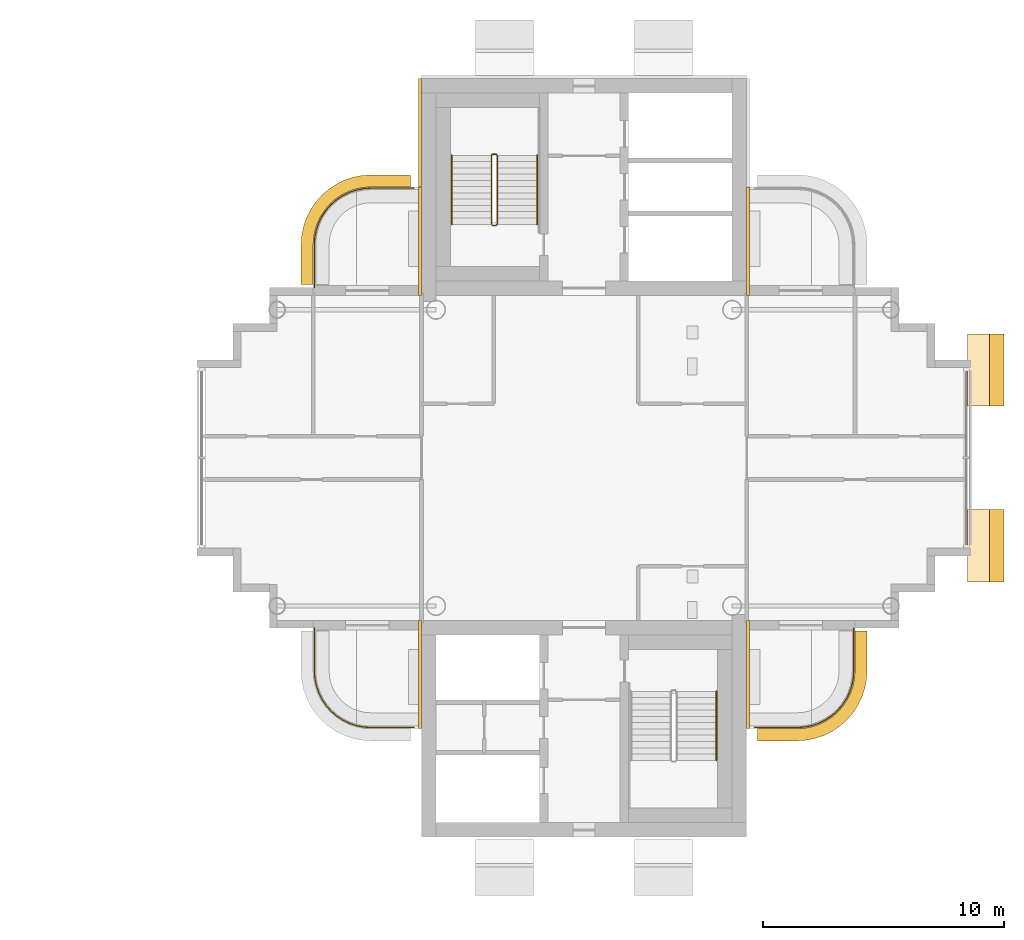
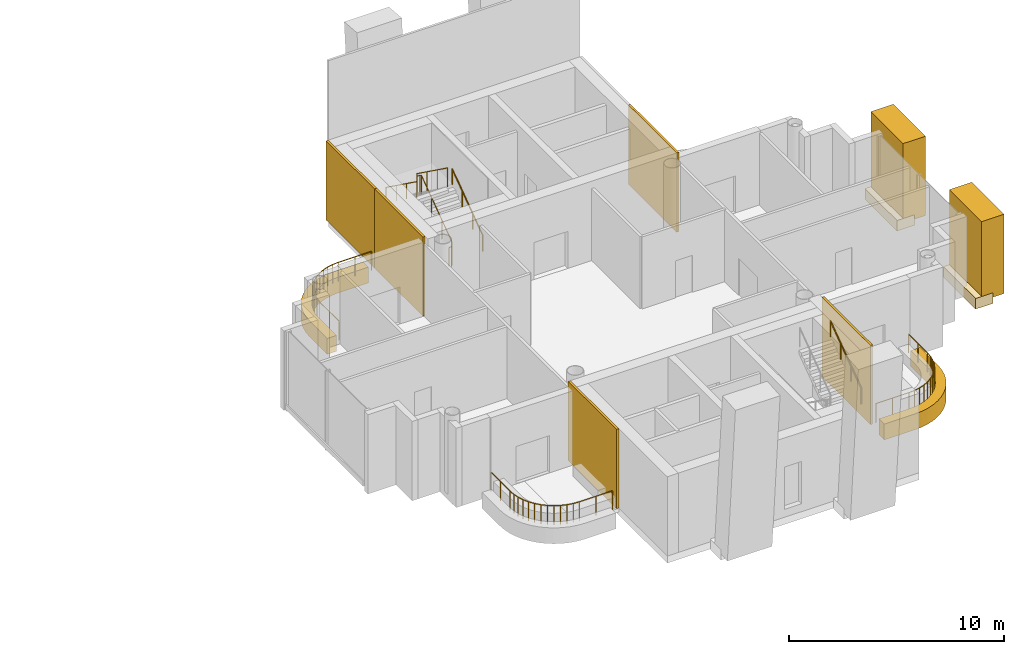
# One storey, part 18 of 20: 11 coverings, 7 railings.
"""IFC4 building model written with IfcOpenShell, lengths in metres."""

from ifc_helpers import new_model, si_unit, direction, frame, origin, origin_2d, place, context, subcontext, project, spatial, polyline, rectangle, circle, outline, extrude, material, layer, layer_set, material_profile, profile_set, type_object, element, save


model = new_model("IFC4")

# Units and contexts
model_context = context("Model", 3, precision=1e-05, world=origin(), true_north=direction((0.0, 1.0)))
body_context = subcontext(model_context, "Body", "Model", "MODEL_VIEW")
ifc_project = project(units=[si_unit("LENGTHUNIT", "METRE"), si_unit("AREAUNIT", "SQUARE_METRE"), si_unit("VOLUMEUNIT", "CUBIC_METRE"), si_unit("PLANEANGLEUNIT", "RADIAN"), si_unit("MASSUNIT", "GRAM", prefix="KILO")], contexts=[model_context])

# Site, building, storey
site_placement = place(None, origin())
site = spatial("IfcSite", under=ifc_project, at=site_placement, CompositionType="ELEMENT")
building_placement = place(site_placement, origin())
building = spatial("IfcBuilding", under=site, at=building_placement, Name="Ipe Terrace Towers", CompositionType="ELEMENT")
storey_placement = place(building_placement, frame((0.0, 0.0, 242.39990234375)))
storey = spatial("IfcBuildingStorey", under=building, at=storey_placement, Name="L67", CompositionType="ELEMENT", Elevation=242.39990234375)

# Railings
ifc_material_1 = material(Name="Stainless steel S316", Category="steel")
railing_type_1 = type_object("IfcRailingType", Name="GUARD 1100", PredefinedType="BALUSTRADE", material=ifc_material_1)
railing_1_placement = place(storey_placement, frame((24.800048828125, -7.070068359375, -0.02001953125)))
element("IfcRailing", 1, at=railing_1_placement, inside=storey, type_object=railing_type_1, Name="guard", PredefinedType="BALUSTRADE", context=body_context, shape_type="SweptSolid", body=[
    extrude(circle(Radius=0.02392578125, at=origin_2d()), frame((0.0, 0.0, 1.076171875), z_axis=(0.0, -1.0, 0.0), x_axis=(1.0, 0.0, 0.0)), (0.0, 0.0, 1.0), 1.77783203125),
    extrude(circle(Radius=0.02392578125, at=origin_2d()), frame((0.0, -1.77783203125, 1.076171875), z_axis=(0.064635492184, -0.99790894031, 0.0), x_axis=(0.99790894031, 0.064635492184, 0.0)), (0.0, 0.0, 1.0), 0.309814453125),
    extrude(circle(Radius=0.02392578125, at=origin_2d()), frame((0.02001953125, -2.0869140625, 1.076171875), z_axis=(0.194892169718, -0.980824674538, 0.0), x_axis=(0.980824674538, 0.194892169718, 0.0)), (0.0, 0.0, 1.0), 0.306884765625),
    extrude(circle(Radius=0.02392578125, at=origin_2d()), frame((0.079833984375, -2.387939453125, 1.076171875), z_axis=(0.322415209212, -0.946598348228, 0.0), x_axis=(0.946598348228, 0.322415209212, 0.0)), (0.0, 0.0, 1.0), 0.307373046875),
    extrude(circle(Radius=0.02392578125, at=origin_2d()), frame((0.178955078125, -2.678955078125, 1.076171875), z_axis=(0.44212629539, -0.896952807524, 0.0), x_axis=(0.896952807524, 0.44212629539, 0.0)), (0.0, 0.0, 1.0), 0.3076171875),
    extrude(circle(Radius=0.02392578125, at=origin_2d()), frame((0.31494140625, -2.954833984375, 1.076171875), z_axis=(0.555066120228, -0.831806228742, 0.0), x_axis=(0.831806228742, 0.555066120228, 0.0)), (0.0, 0.0, 1.0), 0.307861328125),
    extrude(circle(Radius=0.02392578125, at=origin_2d()), frame((0.48583984375, -3.2109375, 1.076171875), z_axis=(0.658617227954, -0.752478137252, 0.0), x_axis=(0.752478137252, 0.658617227954, 0.0)), (0.0, 0.0, 1.0), 0.306884765625),
    extrude(circle(Radius=0.02392578125, at=origin_2d()), frame((0.68798828125, -3.44189453125, 1.076171875), z_axis=(0.752478137252, -0.658617227954, 0.0), x_axis=(0.658617227954, 0.752478137252, 0.0)), (0.0, 0.0, 1.0), 0.306884765625),
    extrude(circle(Radius=0.02392578125, at=origin_2d()), frame((0.9189453125, -3.64404296875, 1.076171875), z_axis=(0.831806228742, -0.555066120228, 0.0), x_axis=(0.555066120228, 0.831806228742, 0.0)), (0.0, 0.0, 1.0), 0.307861328125),
    extrude(circle(Radius=0.02392578125, at=origin_2d()), frame((1.175048828125, -3.81494140625, 1.076171875), z_axis=(0.896952807524, -0.44212629539, 0.0), x_axis=(0.44212629539, 0.896952807524, 0.0)), (0.0, 0.0, 1.0), 0.3076171875),
    extrude(circle(Radius=0.02392578125, at=origin_2d()), frame((1.450927734375, -3.950927734375, 1.076171875), z_axis=(0.946598348228, -0.322415209212, 0.0), x_axis=(0.322415209212, 0.946598348228, 0.0)), (0.0, 0.0, 1.0), 0.307373046875),
    extrude(circle(Radius=0.02392578125, at=origin_2d()), frame((1.741943359375, -4.050048828125, 1.076171875), z_axis=(0.980824674538, -0.194892169718, 0.0), x_axis=(0.194892169718, 0.980824674538, 0.0)), (0.0, 0.0, 1.0), 0.306884765625),
    extrude(circle(Radius=0.02392578125, at=origin_2d()), frame((2.04296875, -4.10986328125, 1.076171875), z_axis=(0.99790894031, -0.064635492184, 0.0), x_axis=(0.064635492184, 0.99790894031, 0.0)), (0.0, 0.0, 1.0), 0.309814453125),
    extrude(circle(Radius=0.02392578125, at=origin_2d()), frame((2.35205078125, -4.1298828125, 1.076171875), z_axis=(1.0, 0.0, 0.0), x_axis=(0.0, 1.0, 0.0)), (0.0, 0.0, 1.0), 1.77783203125),
    extrude(circle(Radius=0.02099609375, at=origin_2d()), origin(), (0.0, 0.0, 1.0), 1.052001953125),
    extrude(circle(Radius=0.02099609375, at=origin_2d()), frame((0.0, -0.888916015625, 0.0)), (0.0, 0.0, 1.0), 1.052001953125),
    extrude(circle(Radius=0.02099609375, at=origin_2d()), frame((0.0, -1.77783203125, 0.0)), (0.0, 0.0, 1.0), 1.052001953125),
    extrude(circle(Radius=0.02099609375, at=origin_2d()), frame((0.02001953125, -2.0869140625, 0.0)), (0.0, 0.0, 1.0), 1.052001953125),
    extrude(circle(Radius=0.02099609375, at=origin_2d()), frame((0.079833984375, -2.387939453125, 0.0)), (0.0, 0.0, 1.0), 1.052001953125),
    extrude(circle(Radius=0.02099609375, at=origin_2d()), frame((0.178955078125, -2.678955078125, 0.0)), (0.0, 0.0, 1.0), 1.052001953125),
    extrude(circle(Radius=0.02099609375, at=origin_2d()), frame((0.31494140625, -2.954833984375, 0.0)), (0.0, 0.0, 1.0), 1.052001953125),
    extrude(circle(Radius=0.02099609375, at=origin_2d()), frame((0.48583984375, -3.2109375, 0.0)), (0.0, 0.0, 1.0), 1.052001953125),
    extrude(circle(Radius=0.02099609375, at=origin_2d()), frame((0.68798828125, -3.44189453125, 0.0)), (0.0, 0.0, 1.0), 1.052001953125),
    extrude(circle(Radius=0.02099609375, at=origin_2d()), frame((0.9189453125, -3.64404296875, 0.0)), (0.0, 0.0, 1.0), 1.052001953125),
    extrude(circle(Radius=0.02099609375, at=origin_2d()), frame((1.175048828125, -3.81494140625, 0.0)), (0.0, 0.0, 1.0), 1.052001953125),
    extrude(circle(Radius=0.02099609375, at=origin_2d()), frame((1.450927734375, -3.950927734375, 0.0)), (0.0, 0.0, 1.0), 1.052001953125),
    extrude(circle(Radius=0.02099609375, at=origin_2d()), frame((1.741943359375, -4.050048828125, 0.0)), (0.0, 0.0, 1.0), 1.052001953125),
    extrude(circle(Radius=0.02099609375, at=origin_2d()), frame((2.04296875, -4.10986328125, 0.0)), (0.0, 0.0, 1.0), 1.052001953125),
    extrude(circle(Radius=0.02099609375, at=origin_2d()), frame((2.35205078125, -4.1298828125, 0.0)), (0.0, 0.0, 1.0), 1.052001953125),
    extrude(circle(Radius=0.02099609375, at=origin_2d()), frame((3.240966796875, -4.1298828125, 0.0)), (0.0, 0.0, 1.0), 1.052001953125),
    extrude(circle(Radius=0.02099609375, at=origin_2d()), frame((4.1298828125, -4.1298828125, 0.0)), (0.0, 0.0, 1.0), 1.052001953125),
])
railing_2_placement = place(storey_placement, frame((28.929931640625, 11.199951171875, -0.02001953125)))
element("IfcRailing", 2, at=railing_2_placement, inside=storey, type_object=railing_type_1, Name="guard", PredefinedType="BALUSTRADE", context=body_context, shape_type="SweptSolid", body=[
    extrude(circle(Radius=0.02392578125, at=origin_2d()), frame((0.0, 0.0, 1.076171875), z_axis=(-1.0, 0.0, 0.0), x_axis=(0.0, -1.0, 0.0)), (0.0, 0.0, 1.0), 1.77783203125),
    extrude(circle(Radius=0.02392578125, at=origin_2d()), frame((-1.77783203125, 0.0, 1.076171875), z_axis=(-0.99790894031, -0.064635492184, 0.0), x_axis=(0.064635492184, -0.99790894031, 0.0)), (0.0, 0.0, 1.0), 0.309814453125),
    extrude(circle(Radius=0.02392578125, at=origin_2d()), frame((-2.0869140625, -0.02001953125, 1.076171875), z_axis=(-0.980824674538, -0.194892169718, 0.0), x_axis=(0.194892169718, -0.980824674538, 0.0)), (0.0, 0.0, 1.0), 0.306884765625),
    extrude(circle(Radius=0.02392578125, at=origin_2d()), frame((-2.387939453125, -0.079833984375, 1.076171875), z_axis=(-0.946598348228, -0.322415209212, 0.0), x_axis=(0.322415209212, -0.946598348228, 0.0)), (0.0, 0.0, 1.0), 0.307373046875),
    extrude(circle(Radius=0.02392578125, at=origin_2d()), frame((-2.678955078125, -0.178955078125, 1.076171875), z_axis=(-0.896952807524, -0.44212629539, 0.0), x_axis=(0.44212629539, -0.896952807524, 0.0)), (0.0, 0.0, 1.0), 0.3076171875),
    extrude(circle(Radius=0.02392578125, at=origin_2d()), frame((-2.954833984375, -0.31494140625, 1.076171875), z_axis=(-0.831806228742, -0.555066120228, 0.0), x_axis=(0.555066120228, -0.831806228742, 0.0)), (0.0, 0.0, 1.0), 0.307861328125),
    extrude(circle(Radius=0.02392578125, at=origin_2d()), frame((-3.2109375, -0.48583984375, 1.076171875), z_axis=(-0.752478137252, -0.658617227954, 0.0), x_axis=(0.658617227954, -0.752478137252, 0.0)), (0.0, 0.0, 1.0), 0.306884765625),
    extrude(circle(Radius=0.02392578125, at=origin_2d()), frame((-3.44189453125, -0.68798828125, 1.076171875), z_axis=(-0.658617227954, -0.752478137252, 0.0), x_axis=(0.752478137252, -0.658617227954, 0.0)), (0.0, 0.0, 1.0), 0.306884765625),
    extrude(circle(Radius=0.02392578125, at=origin_2d()), frame((-3.64404296875, -0.9189453125, 1.076171875), z_axis=(-0.555066120228, -0.831806228742, 0.0), x_axis=(0.831806228742, -0.555066120228, 0.0)), (0.0, 0.0, 1.0), 0.307861328125),
    extrude(circle(Radius=0.02392578125, at=origin_2d()), frame((-3.81494140625, -1.175048828125, 1.076171875), z_axis=(-0.44212629539, -0.896952807524, 0.0), x_axis=(0.896952807524, -0.44212629539, 0.0)), (0.0, 0.0, 1.0), 0.3076171875),
    extrude(circle(Radius=0.02392578125, at=origin_2d()), frame((-3.950927734375, -1.450927734375, 1.076171875), z_axis=(-0.322415209212, -0.946598348228, 0.0), x_axis=(0.946598348228, -0.322415209212, 0.0)), (0.0, 0.0, 1.0), 0.307373046875),
    extrude(circle(Radius=0.02392578125, at=origin_2d()), frame((-4.050048828125, -1.741943359375, 1.076171875), z_axis=(-0.194892169718, -0.980824674538, 0.0), x_axis=(0.980824674538, -0.194892169718, 0.0)), (0.0, 0.0, 1.0), 0.306884765625),
    extrude(circle(Radius=0.02392578125, at=origin_2d()), frame((-4.10986328125, -2.04296875, 1.076171875), z_axis=(-0.064635492184, -0.99790894031, 0.0), x_axis=(0.99790894031, -0.064635492184, 0.0)), (0.0, 0.0, 1.0), 0.309814453125),
    extrude(circle(Radius=0.02392578125, at=origin_2d()), frame((-4.1298828125, -2.35205078125, 1.076171875), z_axis=(0.0, -1.0, 0.0), x_axis=(1.0, 0.0, 0.0)), (0.0, 0.0, 1.0), 1.77783203125),
    extrude(circle(Radius=0.02099609375, at=origin_2d()), origin(), (0.0, 0.0, 1.0), 1.052001953125),
    extrude(circle(Radius=0.02099609375, at=origin_2d()), frame((-0.888916015625, 0.0, 0.0)), (0.0, 0.0, 1.0), 1.052001953125),
    extrude(circle(Radius=0.02099609375, at=origin_2d()), frame((-1.77783203125, 0.0, 0.0)), (0.0, 0.0, 1.0), 1.052001953125),
    extrude(circle(Radius=0.02099609375, at=origin_2d()), frame((-2.0869140625, -0.02001953125, 0.0)), (0.0, 0.0, 1.0), 1.052001953125),
    extrude(circle(Radius=0.02099609375, at=origin_2d()), frame((-2.387939453125, -0.079833984375, 0.0)), (0.0, 0.0, 1.0), 1.052001953125),
    extrude(circle(Radius=0.02099609375, at=origin_2d()), frame((-2.678955078125, -0.178955078125, 0.0)), (0.0, 0.0, 1.0), 1.052001953125),
    extrude(circle(Radius=0.02099609375, at=origin_2d()), frame((-2.954833984375, -0.31494140625, 0.0)), (0.0, 0.0, 1.0), 1.052001953125),
    extrude(circle(Radius=0.02099609375, at=origin_2d()), frame((-3.2109375, -0.48583984375, 0.0)), (0.0, 0.0, 1.0), 1.052001953125),
    extrude(circle(Radius=0.02099609375, at=origin_2d()), frame((-3.44189453125, -0.68798828125, 0.0)), (0.0, 0.0, 1.0), 1.052001953125),
    extrude(circle(Radius=0.02099609375, at=origin_2d()), frame((-3.64404296875, -0.9189453125, 0.0)), (0.0, 0.0, 1.0), 1.052001953125),
    extrude(circle(Radius=0.02099609375, at=origin_2d()), frame((-3.81494140625, -1.175048828125, 0.0)), (0.0, 0.0, 1.0), 1.052001953125),
    extrude(circle(Radius=0.02099609375, at=origin_2d()), frame((-3.950927734375, -1.450927734375, 0.0)), (0.0, 0.0, 1.0), 1.052001953125),
    extrude(circle(Radius=0.02099609375, at=origin_2d()), frame((-4.050048828125, -1.741943359375, 0.0)), (0.0, 0.0, 1.0), 1.052001953125),
    extrude(circle(Radius=0.02099609375, at=origin_2d()), frame((-4.10986328125, -2.04296875, 0.0)), (0.0, 0.0, 1.0), 1.052001953125),
    extrude(circle(Radius=0.02099609375, at=origin_2d()), frame((-4.1298828125, -2.35205078125, 0.0)), (0.0, 0.0, 1.0), 1.052001953125),
    extrude(circle(Radius=0.02099609375, at=origin_2d()), frame((-4.1298828125, -3.240966796875, 0.0)), (0.0, 0.0, 1.0), 1.052001953125),
    extrude(circle(Radius=0.02099609375, at=origin_2d()), frame((-4.1298828125, -4.1298828125, 0.0)), (0.0, 0.0, 1.0), 1.052001953125),
])
railing_3_placement = place(storey_placement, frame((43.070068359375, -11.199951171875, -0.02001953125)))
element("IfcRailing", 3, at=railing_3_placement, inside=storey, type_object=railing_type_1, Name="guard", PredefinedType="BALUSTRADE", context=body_context, shape_type="SweptSolid", body=[
    extrude(circle(Radius=0.02392578125, at=origin_2d()), frame((0.0, 0.0, 1.076171875), z_axis=(1.0, 0.0, 0.0), x_axis=(0.0, 1.0, 0.0)), (0.0, 0.0, 1.0), 1.77783203125),
    extrude(circle(Radius=0.02392578125, at=origin_2d()), frame((1.77783203125, 0.0, 1.076171875), z_axis=(0.99790894031, 0.064635492184, 0.0), x_axis=(-0.064635492184, 0.99790894031, 0.0)), (0.0, 0.0, 1.0), 0.309814453125),
    extrude(circle(Radius=0.02392578125, at=origin_2d()), frame((2.0869140625, 0.02001953125, 1.076171875), z_axis=(0.980824674538, 0.194892169718, 0.0), x_axis=(-0.194892169718, 0.980824674538, 0.0)), (0.0, 0.0, 1.0), 0.306884765625),
    extrude(circle(Radius=0.02392578125, at=origin_2d()), frame((2.387939453125, 0.079833984375, 1.076171875), z_axis=(0.946598348228, 0.322415209212, 0.0), x_axis=(-0.322415209212, 0.946598348228, 0.0)), (0.0, 0.0, 1.0), 0.307373046875),
    extrude(circle(Radius=0.02392578125, at=origin_2d()), frame((2.678955078125, 0.178955078125, 1.076171875), z_axis=(0.896952807524, 0.44212629539, 0.0), x_axis=(-0.44212629539, 0.896952807524, 0.0)), (0.0, 0.0, 1.0), 0.3076171875),
    extrude(circle(Radius=0.02392578125, at=origin_2d()), frame((2.954833984375, 0.31494140625, 1.076171875), z_axis=(0.831806228742, 0.555066120228, 0.0), x_axis=(-0.555066120228, 0.831806228742, 0.0)), (0.0, 0.0, 1.0), 0.307861328125),
    extrude(circle(Radius=0.02392578125, at=origin_2d()), frame((3.2109375, 0.48583984375, 1.076171875), z_axis=(0.752478137252, 0.658617227954, 0.0), x_axis=(-0.658617227954, 0.752478137252, 0.0)), (0.0, 0.0, 1.0), 0.306884765625),
    extrude(circle(Radius=0.02392578125, at=origin_2d()), frame((3.44189453125, 0.68798828125, 1.076171875), z_axis=(0.658617227954, 0.752478137252, 0.0), x_axis=(-0.752478137252, 0.658617227954, 0.0)), (0.0, 0.0, 1.0), 0.306884765625),
    extrude(circle(Radius=0.02392578125, at=origin_2d()), frame((3.64404296875, 0.9189453125, 1.076171875), z_axis=(0.555066120228, 0.831806228742, 0.0), x_axis=(-0.831806228742, 0.555066120228, 0.0)), (0.0, 0.0, 1.0), 0.307861328125),
    extrude(circle(Radius=0.02392578125, at=origin_2d()), frame((3.81494140625, 1.175048828125, 1.076171875), z_axis=(0.44212629539, 0.896952807524, 0.0), x_axis=(-0.896952807524, 0.44212629539, 0.0)), (0.0, 0.0, 1.0), 0.3076171875),
    extrude(circle(Radius=0.02392578125, at=origin_2d()), frame((3.950927734375, 1.450927734375, 1.076171875), z_axis=(0.322415209212, 0.946598348228, 0.0), x_axis=(-0.946598348228, 0.322415209212, 0.0)), (0.0, 0.0, 1.0), 0.307373046875),
    extrude(circle(Radius=0.02392578125, at=origin_2d()), frame((4.050048828125, 1.741943359375, 1.076171875), z_axis=(0.194892169718, 0.980824674538, 0.0), x_axis=(-0.980824674538, 0.194892169718, 0.0)), (0.0, 0.0, 1.0), 0.306884765625),
    extrude(circle(Radius=0.02392578125, at=origin_2d()), frame((4.10986328125, 2.04296875, 1.076171875), z_axis=(0.064635492184, 0.99790894031, 0.0), x_axis=(-0.99790894031, 0.064635492184, 0.0)), (0.0, 0.0, 1.0), 0.309814453125),
    extrude(circle(Radius=0.02392578125, at=origin_2d()), frame((4.1298828125, 2.35205078125, 1.076171875), z_axis=(0.0, 1.0, 0.0), x_axis=(-1.0, 0.0, 0.0)), (0.0, 0.0, 1.0), 1.77783203125),
    extrude(circle(Radius=0.02099609375, at=origin_2d()), origin(), (0.0, 0.0, 1.0), 1.052001953125),
    extrude(circle(Radius=0.02099609375, at=origin_2d()), frame((0.888916015625, 0.0, 0.0)), (0.0, 0.0, 1.0), 1.052001953125),
    extrude(circle(Radius=0.02099609375, at=origin_2d()), frame((1.77783203125, 0.0, 0.0)), (0.0, 0.0, 1.0), 1.052001953125),
    extrude(circle(Radius=0.02099609375, at=origin_2d()), frame((2.0869140625, 0.02001953125, 0.0)), (0.0, 0.0, 1.0), 1.052001953125),
    extrude(circle(Radius=0.02099609375, at=origin_2d()), frame((2.387939453125, 0.079833984375, 0.0)), (0.0, 0.0, 1.0), 1.052001953125),
    extrude(circle(Radius=0.02099609375, at=origin_2d()), frame((2.678955078125, 0.178955078125, 0.0)), (0.0, 0.0, 1.0), 1.052001953125),
    extrude(circle(Radius=0.02099609375, at=origin_2d()), frame((2.954833984375, 0.31494140625, 0.0)), (0.0, 0.0, 1.0), 1.052001953125),
    extrude(circle(Radius=0.02099609375, at=origin_2d()), frame((3.2109375, 0.48583984375, 0.0)), (0.0, 0.0, 1.0), 1.052001953125),
    extrude(circle(Radius=0.02099609375, at=origin_2d()), frame((3.44189453125, 0.68798828125, 0.0)), (0.0, 0.0, 1.0), 1.052001953125),
    extrude(circle(Radius=0.02099609375, at=origin_2d()), frame((3.64404296875, 0.9189453125, 0.0)), (0.0, 0.0, 1.0), 1.052001953125),
    extrude(circle(Radius=0.02099609375, at=origin_2d()), frame((3.81494140625, 1.175048828125, 0.0)), (0.0, 0.0, 1.0), 1.052001953125),
    extrude(circle(Radius=0.02099609375, at=origin_2d()), frame((3.950927734375, 1.450927734375, 0.0)), (0.0, 0.0, 1.0), 1.052001953125),
    extrude(circle(Radius=0.02099609375, at=origin_2d()), frame((4.050048828125, 1.741943359375, 0.0)), (0.0, 0.0, 1.0), 1.052001953125),
    extrude(circle(Radius=0.02099609375, at=origin_2d()), frame((4.10986328125, 2.04296875, 0.0)), (0.0, 0.0, 1.0), 1.052001953125),
    extrude(circle(Radius=0.02099609375, at=origin_2d()), frame((4.1298828125, 2.35205078125, 0.0)), (0.0, 0.0, 1.0), 1.052001953125),
    extrude(circle(Radius=0.02099609375, at=origin_2d()), frame((4.1298828125, 3.240966796875, 0.0)), (0.0, 0.0, 1.0), 1.052001953125),
    extrude(circle(Radius=0.02099609375, at=origin_2d()), frame((4.1298828125, 4.1298828125, 0.0)), (0.0, 0.0, 1.0), 1.052001953125),
])

# Coverings
ifc_material_2 = material(Name="Concrete C50/60 precast, buff finish", Category="concrete")
ifc_layer_1 = layer(ifc_material_2, 0.1201171875)
ifc_layer_set_1 = layer_set([ifc_layer_1], Name="STONE CORE CLADDING 120")
covering_type_1 = type_object("IfcCoveringType", Name="STONE CORE CLADDING 120", PredefinedType="CLADDING", material=ifc_layer_set_1)
for number, where, z_axis, x_axis, name in (
    (4, (29.18994140625, -9.0, 0.0), (0.0, 0.0, 1.0), (0.0, -1.0, 0.0), "stone core cladding"),
    (5, (29.18994140625, 9.0, 0.0), (0.0, 0.0, 1.0), (0.0, -1.0, 0.0), "stone core cladding"),
    (6, (29.18994140625, 13.5, 0.0), (0.0, 0.0, 1.0), (0.0, -1.0, 0.0), "stone core cladding"),
    (7, (42.81005859375, -9.0, 0.0), (0.0, 0.0, 1.0), (0.0, 1.0, 0.0), "stone core cladding"),
    (8, (42.81005859375, 9.0, 0.0), (0.0, 0.0, 1.0), (0.0, 1.0, 0.0), "stone core cladding"),
):
    element("IfcCovering", number, at=place(storey_placement, frame(where, z_axis=z_axis, x_axis=x_axis)), inside=storey, type_object=covering_type_1, Name=name, PredefinedType="CLADDING", context=body_context, shape_type="SweptSolid", body=[
        extrude(rectangle(XDim=4.5, YDim=0.1201171875, at=origin_2d()), origin(), (0.0, 0.0, 1.0), 4.5),
    ])
ifc_material_3 = material(Name="Concrete C50/60 precast, buff finish", Category="concrete")
ifc_layer_2 = layer(ifc_material_3, 0.5)
ifc_layer_set_2 = layer_set([ifc_layer_2], Name="STONE EDGE BAND 500 x 900")
covering_type_2 = type_object("IfcCoveringType", Name="STONE EDGE BAND 500 x 900", PredefinedType="CLADDING", material=ifc_layer_set_2)
covering_1_placement = place(storey_placement, frame((0.0, 0.0, -0.719970703125)))
element("IfcCovering", 9, at=covering_1_placement, inside=storey, type_object=covering_type_2, Name="stone edge band", PredefinedType="CLADDING", context=body_context, shape_type="SweptSolid", body=[
    extrude(outline(polyline([(24.25, 8.85009765625), (24.25, 7.199951171875), (24.75, 7.199951171875), (24.75, 8.85009765625), (24.77099609375, 9.1630859375), (24.83203125, 9.470947265625), (24.93310546875, 9.76806640625), (25.072021484375, 10.050048828125), (25.24609375, 10.31103515625), (25.452880859375, 10.547119140625), (25.68896484375, 10.75390625), (25.949951171875, 10.927978515625), (26.23193359375, 11.06689453125), (26.529052734375, 11.16796875), (26.8369140625, 11.22900390625), (27.14990234375, 11.25), (28.800048828125, 11.25), (28.800048828125, 11.75), (27.14990234375, 11.75), (27.116943359375, 11.7490234375), (26.803955078125, 11.72802734375), (26.739013671875, 11.719970703125), (26.430908203125, 11.658935546875), (26.367919921875, 11.64208984375), (26.071044921875, 11.541015625), (26.010009765625, 11.51611328125), (25.72900390625, 11.376953125), (25.672119140625, 11.343994140625), (25.410888671875, 11.169921875), (25.35888671875, 11.1298828125), (25.123046875, 10.923095703125), (25.076904296875, 10.876953125), (24.8701171875, 10.64111328125), (24.830078125, 10.589111328125), (24.656005859375, 10.327880859375), (24.623046875, 10.27099609375), (24.48388671875, 9.989990234375), (24.458984375, 9.928955078125), (24.35791015625, 9.632080078125), (24.341064453125, 9.569091796875), (24.280029296875, 9.260986328125), (24.27197265625, 9.196044921875), (24.2509765625, 8.883056640625), (24.25, 8.85009765625)])), origin(), (0.0, 0.0, 1.0), 0.900146484375),
])
covering_2_placement = place(storey_placement, frame((0.0, 0.0, -0.719970703125)))
element("IfcCovering", 10, at=covering_2_placement, inside=storey, type_object=covering_type_2, Name="stone edge band", PredefinedType="CLADDING", context=body_context, shape_type="SweptSolid", body=[
    extrude(outline(polyline([(47.75, -8.85009765625), (47.75, -7.199951171875), (47.25, -7.199951171875), (47.25, -8.85009765625), (47.22900390625, -9.1630859375), (47.16796875, -9.470947265625), (47.06689453125, -9.76806640625), (46.927978515625, -10.050048828125), (46.75390625, -10.31103515625), (46.547119140625, -10.547119140625), (46.31103515625, -10.75390625), (46.050048828125, -10.927978515625), (45.76806640625, -11.06689453125), (45.470947265625, -11.16796875), (45.1630859375, -11.22900390625), (44.85009765625, -11.25), (43.199951171875, -11.25), (43.199951171875, -11.75), (44.85009765625, -11.75), (44.883056640625, -11.7490234375), (45.196044921875, -11.72802734375), (45.260986328125, -11.719970703125), (45.569091796875, -11.658935546875), (45.632080078125, -11.64208984375), (45.928955078125, -11.541015625), (45.989990234375, -11.51611328125), (46.27099609375, -11.376953125), (46.327880859375, -11.343994140625), (46.589111328125, -11.169921875), (46.64111328125, -11.1298828125), (46.876953125, -10.923095703125), (46.923095703125, -10.876953125), (47.1298828125, -10.64111328125), (47.169921875, -10.589111328125), (47.343994140625, -10.327880859375), (47.376953125, -10.27099609375), (47.51611328125, -9.989990234375), (47.541015625, -9.928955078125), (47.64208984375, -9.632080078125), (47.658935546875, -9.569091796875), (47.719970703125, -9.260986328125), (47.72802734375, -9.196044921875), (47.7490234375, -8.883056640625), (47.75, -8.85009765625)])), origin(), (0.0, 0.0, 1.0), 0.900146484375),
])
ifc_material_4 = material(Name="Concrete C50/60 precast, buff finish", Category="concrete")
ifc_material_profile = material_profile(ifc_material_4, rectangle(XDim=3.0, YDim=1.199951171875, at=origin_2d()), Name="STONE FIN CORNER 3000 x 1200")
ifc_profile_set = profile_set([ifc_material_profile], Name="Concrete C50/60 precast, buff finish")
covering_type_3 = type_object("IfcCoveringType", Name="STONE FIN CORNER 3000 x 1200", PredefinedType="USERDEFINED", material=ifc_profile_set)
for number, where, z_axis, x_axis, name in (
    (11, (52.839111328125, -3.64990234375, 0.0), (0.0, 0.0, 1.0), (0.0, 1.0, 0.0), "stone fin"),
    (12, (52.839111328125, 3.64990234375, 0.0), (0.0, 0.0, 1.0), (0.0, 1.0, 0.0), "stone fin"),
):
    element("IfcCovering", number, at=place(storey_placement, frame(where, z_axis=z_axis, x_axis=x_axis)), inside=storey, type_object=covering_type_3, Name=name, ObjectType="FIN", PredefinedType="USERDEFINED", context=body_context, shape_type="SweptSolid", body=[
        extrude(rectangle(XDim=3.0, YDim=1.199951171875, at=origin_2d()), origin(), (0.0, 0.0, 1.0), 4.5),
    ])
ifc_material_5 = material(Name="Concrete C50/60 precast, buff finish", Category="concrete")
covering_type_4 = type_object("IfcCoveringType", Name="STONE FIN SHELF 3000 x 600", PredefinedType="CLADDING", material=ifc_material_5)
for number, where, z_axis, x_axis, name in (
    (13, (52.376953125, -3.64990234375, -0.349853515625), (0.0, 0.0, 1.0), (0.0, 1.0, 0.0), "stone fin shelf"),
    (14, (52.376953125, 3.64990234375, -0.349853515625), (0.0, 0.0, 1.0), (0.0, 1.0, 0.0), "stone fin shelf"),
):
    element("IfcCovering", number, at=place(storey_placement, frame(where, z_axis=z_axis, x_axis=x_axis)), inside=storey, type_object=covering_type_4, Name=name, PredefinedType="CLADDING", context=body_context, shape_type="SweptSolid", body=[
        extrude(rectangle(XDim=3.0, YDim=0.923095703125, at=origin_2d()), origin(), (0.0, 0.0, 1.0), 0.60009765625),
    ])

# Railings
ifc_material_6 = material(Name="Steel S355", Category="steel")
railing_type_2 = type_object("IfcRailingType", Name="Stair guard 1100", PredefinedType="GUARDRAIL", material=ifc_material_6)
railing_4_placement = place(storey_placement, frame((32.199951171875, 9.64990234375, 0.0)))
element("IfcRailing", 15, at=railing_4_placement, inside=storey, type_object=railing_type_2, Name="L67 T2-ST1 stair guard 1", PredefinedType="GUARDRAIL", context=body_context, shape_type="SweptSolid", body=[
    extrude(circle(Radius=0.02392578125, at=origin_2d()), frame((0.0, 0.0, 1.076171875), z_axis=(1.0, 0.0, 0.0), x_axis=(0.0, 1.0, 0.0)), (0.0, 0.0, 1.0), 0.150146484375),
    extrude(circle(Radius=0.02392578125, at=origin_2d()), frame((0.150146484375, 0.0, 1.076171875), z_axis=(0.248583702486, 0.249802250048, 0.935844527007), x_axis=(-0.708833529934, 0.705375805398, 0.0)), (0.0, 0.0, 1.0), 0.200439453125),
    extrude(circle(Radius=0.02392578125, at=origin_2d()), frame((0.199951171875, 0.050048828125, 1.263671875), z_axis=(0.0, 0.811100754333, 0.584906459462), x_axis=(-1.0, 0.0, 0.0)), (0.0, 0.0, 1.0), 3.526123046875),
    extrude(circle(Radius=0.02392578125, at=origin_2d()), frame((0.199951171875, 2.91015625, 3.326171875), z_axis=(-0.705375805398, 0.708833529934, 0.0), x_axis=(-0.708833529934, -0.705375805398, 0.0)), (0.0, 0.0, 1.0), 0.070556640625),
    extrude(circle(Radius=0.02392578125, at=origin_2d()), frame((0.150146484375, 2.960205078125, 3.326171875), z_axis=(-1.0, 0.0, 0.0), x_axis=(0.0, -1.0, 0.0)), (0.0, 0.0, 1.0), 0.150146484375),
    extrude(circle(Radius=0.02392578125, at=origin_2d()), frame((0.0, 2.960205078125, 3.326171875), z_axis=(-0.249726431254, -0.249726431254, 0.935560483917), x_axis=(0.707106781187, -0.707106781187, 0.0)), (0.0, 0.0, 1.0), 0.200439453125),
    extrude(circle(Radius=0.02392578125, at=origin_2d()), frame((-0.050048828125, 2.91015625, 3.513671875), z_axis=(0.0, -0.811100754333, 0.584906459462), x_axis=(1.0, 0.0, 0.0)), (0.0, 0.0, 1.0), 3.526123046875),
    extrude(circle(Radius=0.02099609375, at=origin_2d()), origin(), (0.0, 0.0, 1.0), 1.052001953125),
    extrude(circle(Radius=0.02099609375, at=origin_2d()), frame((0.150146484375, 0.0, 0.0)), (0.0, 0.0, 1.0), 1.052001953125),
    extrude(circle(Radius=0.02099609375, at=origin_2d()), frame((0.199951171875, 0.050048828125, 0.1875)), (0.0, 0.0, 1.0), 1.052001953125),
    extrude(circle(Radius=0.02099609375, at=origin_2d()), frame((0.199951171875, 1.00341796875, 0.875)), (0.0, 0.0, 1.0), 1.052001953125),
    extrude(circle(Radius=0.02099609375, at=origin_2d()), frame((0.199951171875, 1.956787109375, 1.5625)), (0.0, 0.0, 1.0), 1.052001953125),
    extrude(circle(Radius=0.02099609375, at=origin_2d()), frame((0.199951171875, 2.91015625, 2.25)), (0.0, 0.0, 1.0), 1.052001953125),
    extrude(circle(Radius=0.02099609375, at=origin_2d()), frame((0.150146484375, 2.960205078125, 2.25)), (0.0, 0.0, 1.0), 1.052001953125),
    extrude(circle(Radius=0.02099609375, at=origin_2d()), frame((0.0, 2.960205078125, 2.25)), (0.0, 0.0, 1.0), 1.052001953125),
    extrude(circle(Radius=0.02099609375, at=origin_2d()), frame((-0.050048828125, 2.91015625, 2.4375)), (0.0, 0.0, 1.0), 1.052001953125),
    extrude(circle(Radius=0.02099609375, at=origin_2d()), frame((-0.050048828125, 1.956787109375, 3.125)), (0.0, 0.0, 1.0), 1.052001953125),
    extrude(circle(Radius=0.02099609375, at=origin_2d()), frame((-0.050048828125, 1.00341796875, 3.8125)), (0.0, 0.0, 1.0), 1.052001953125),
    extrude(circle(Radius=0.02099609375, at=origin_2d()), frame((-0.050048828125, 0.050048828125, 4.5)), (0.0, 0.0, 1.0), 1.052001953125),
])
ifc_material_7 = material(Name="Stainless steel grade 304", Category="steel")
railing_type_3 = type_object("IfcRailingType", Name="Stair handrail 900", PredefinedType="HANDRAIL", material=ifc_material_7)
railing_5_placement = place(storey_placement, frame((34.050048828125, 9.699951171875, 0.1875)))
element("IfcRailing", 16, at=railing_5_placement, inside=storey, type_object=railing_type_3, Name="L67 T2-ST1 stair handrail 1", PredefinedType="HANDRAIL", context=body_context, shape_type="SweptSolid", body=[
    extrude(circle(Radius=0.02392578125, at=origin_2d()), frame((0.0, 0.0, 0.8759765625), z_axis=(0.0, 0.811100754333, 0.584906459462), x_axis=(-1.0, 0.0, 0.0)), (0.0, 0.0, 1.0), 3.526123046875),
    extrude(circle(Radius=0.02099609375, at=origin_2d()), origin(), (0.0, 0.0, 1.0), 0.851806640625),
    extrude(circle(Radius=0.02099609375, at=origin_2d()), frame((0.0, 0.953369140625, 0.6875)), (0.0, 0.0, 1.0), 0.851806640625),
    extrude(circle(Radius=0.02099609375, at=origin_2d()), frame((0.0, 1.90673828125, 1.375)), (0.0, 0.0, 1.0), 0.851806640625),
    extrude(circle(Radius=0.02099609375, at=origin_2d()), frame((0.0, 2.860107421875, 2.0625)), (0.0, 0.0, 1.0), 0.851806640625),
])
railing_6_placement = place(storey_placement, frame((30.5, 12.56005859375, 2.4375)))
element("IfcRailing", 17, at=railing_6_placement, inside=storey, type_object=railing_type_3, Name="L67 T2-ST1 stair handrail 2", PredefinedType="HANDRAIL", context=body_context, shape_type="SweptSolid", body=[
    extrude(circle(Radius=0.02392578125, at=origin_2d()), frame((0.0, 0.0, 0.8759765625), z_axis=(0.0, -0.811100754333, 0.584906459462), x_axis=(1.0, 0.0, 0.0)), (0.0, 0.0, 1.0), 3.526123046875),
    extrude(circle(Radius=0.02099609375, at=origin_2d()), origin(), (0.0, 0.0, 1.0), 0.851806640625),
    extrude(circle(Radius=0.02099609375, at=origin_2d()), frame((0.0, -0.953369140625, 0.6875)), (0.0, 0.0, 1.0), 0.851806640625),
    extrude(circle(Radius=0.02099609375, at=origin_2d()), frame((0.0, -1.90673828125, 1.375)), (0.0, 0.0, 1.0), 0.851806640625),
    extrude(circle(Radius=0.02099609375, at=origin_2d()), frame((0.0, -2.860107421875, 2.0625)), (0.0, 0.0, 1.0), 0.851806640625),
])
railing_7_placement = place(storey_placement, frame((41.5, -12.56005859375, 2.4375)))
element("IfcRailing", 18, at=railing_7_placement, inside=storey, type_object=railing_type_3, Name="L67 T2-ST2 stair handrail 2", PredefinedType="HANDRAIL", context=body_context, shape_type="SweptSolid", body=[
    extrude(circle(Radius=0.02392578125, at=origin_2d()), frame((0.0, 0.0, 0.8759765625), z_axis=(0.0, 0.811100754333, 0.584906459462), x_axis=(-1.0, 0.0, 0.0)), (0.0, 0.0, 1.0), 3.526123046875),
    extrude(circle(Radius=0.02099609375, at=origin_2d()), origin(), (0.0, 0.0, 1.0), 0.851806640625),
    extrude(circle(Radius=0.02099609375, at=origin_2d()), frame((0.0, 0.953369140625, 0.6875)), (0.0, 0.0, 1.0), 0.851806640625),
    extrude(circle(Radius=0.02099609375, at=origin_2d()), frame((0.0, 1.90673828125, 1.375)), (0.0, 0.0, 1.0), 0.851806640625),
    extrude(circle(Radius=0.02099609375, at=origin_2d()), frame((0.0, 2.860107421875, 2.0625)), (0.0, 0.0, 1.0), 0.851806640625),
])

save(model, "model.ifc")
